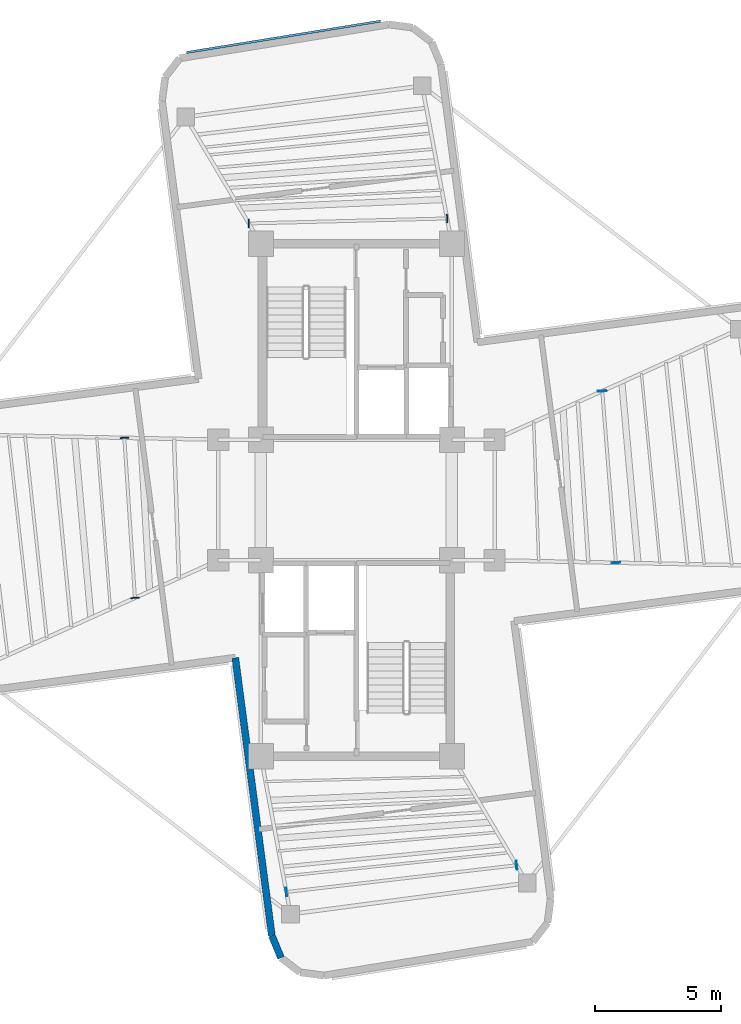
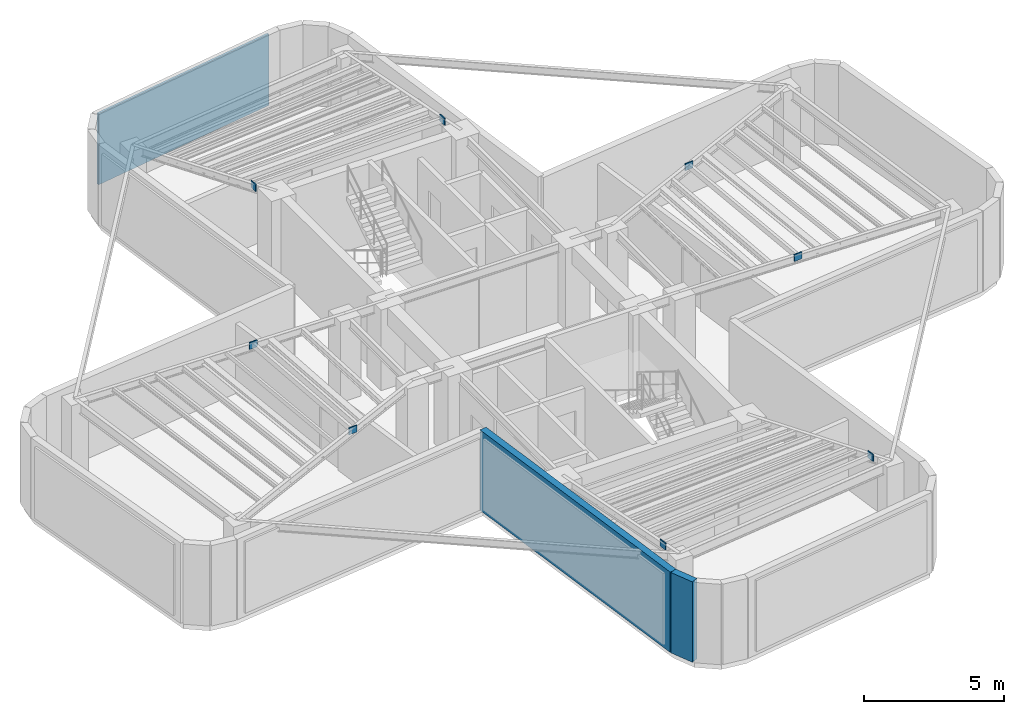
# One storey, part 3 of 6: 9 plates, 2 walls.
"""IFC4 building model written with IfcOpenShell, lengths in metres."""

from ifc_helpers import new_model, si_unit, direction, frame, frame_2d, origin, origin_2d, place, context, subcontext, project, spatial, rectangle, extrude, source, transform, mapped, material, layer, layer_set, type_object, element, save


model = new_model("IFC4")

# Units and contexts
model_context = context("Model", 3, precision=1e-05, world=origin(), true_north=direction((0.0, 1.0)))
body_context = subcontext(model_context, "Body", "Model", "MODEL_VIEW")
ifc_project = project(units=[si_unit("LENGTHUNIT", "METRE"), si_unit("AREAUNIT", "SQUARE_METRE"), si_unit("VOLUMEUNIT", "CUBIC_METRE"), si_unit("PLANEANGLEUNIT", "RADIAN"), si_unit("MASSUNIT", "GRAM", prefix="KILO")], contexts=[model_context])

# Site, building, storey
site_placement = place(None, origin())
site = spatial("IfcSite", under=ifc_project, at=site_placement, CompositionType="ELEMENT")
building_placement = place(site_placement, origin())
building = spatial("IfcBuilding", under=site, at=building_placement, Name="Sahyath Konkavel Grand Hotel", CompositionType="ELEMENT")
storey_placement = place(building_placement, frame((0.0, 0.0, 288.89990234375)))
storey = spatial("IfcBuildingStorey", under=building, at=storey_placement, Name="L80", CompositionType="ELEMENT", Elevation=288.89990234375)

# Plates
ifc_material_1 = material(Name="Steel E450", Category="steel")
plate_type_1 = type_object("IfcPlateType", Name="GUSSET-END-35", PredefinedType="USERDEFINED", material=ifc_material_1)
shared_shape_1 = source(origin(), body_context, "Body", "SweptSolid", [
    extrude(rectangle(XDim=0.0400390625, YDim=0.340087890625, at=origin_2d()), origin(), (0.0, 0.0, 1.0), 0.300048828125),
])
for number, where, z_axis, x_axis, name in (
    (1, (10.33251953125, -2.497314453125, 3.240234375), (0.0, 0.0, 1.0), (-0.079607409749, 0.996826293951, 0.0), "L80 Sub-Beam E-3 End Cap A"),
    (2, (9.787109375, 4.3349609375, 3.240234375), (0.0, 0.0, 1.0), (-0.079607409749, 0.996826293951, 0.0), "L80 Sub-Beam E-3 End Cap B"),
    (3, (-9.234375, 2.47509765625, 3.240234375), (0.0, 0.0, 1.0), (0.066030089531, -0.997817632274, 0.0), "L80 Sub-Beam W-2 End Cap A"),
    (4, (-8.812744140625, -3.895263671875, 3.240234375), (0.0, 0.0, 1.0), (0.066030089531, -0.997817632274, 0.0), "L80 Sub-Beam W-2 End Cap B"),
    (5, (3.611328125, 11.205322265625, 3.240234375), (0.0, 0.0, 1.0), (-0.999684189283, -0.025130095443, 0.0), "L80 Sub-Beam N-1 End Cap A"),
    (6, (-4.279541015625, 11.0068359375, 3.240234375), (0.0, 0.0, 1.0), (-0.999684189283, -0.025130095443, 0.0), "L80 Sub-Beam N-1 End Cap B"),
    (7, (-2.785888671875, -15.603515625, 3.240234375), (0.0, 0.0, 1.0), (0.993298335304, 0.115578618625, 0.0), "L80 Sub-Beam S-6 End Cap A"),
    (8, (6.378173828125, -14.537109375, 3.240234375), (0.0, 0.0, 1.0), (0.993298335304, 0.115578618625, 0.0), "L80 Sub-Beam S-6 End Cap B"),
):
    element("IfcPlate", number, at=place(storey_placement, frame(where, z_axis=z_axis, x_axis=x_axis)), inside=storey, type_object=plate_type_1, Name=name, ObjectType="GUSSET_PLATE", PredefinedType="USERDEFINED", context=body_context, shape_type="MappedRepresentation", body=[
        mapped(shared_shape_1, transform((0.0, 0.0, 0.0), scale=1.0)),
    ])
ifc_material_2 = material(Name="Warm Buff Sandstone Perforated Cladding", Category="masonry")
ifc_layer_1 = layer(ifc_material_2, 0.090087890625)
ifc_layer_set_1 = layer_set([ifc_layer_1], Name="Warm Buff Sandstone Perforated Cladding")
plate_type_2 = type_object("IfcPlateType", Name="PNL-CROWN-LOUVRE", PredefinedType="SHEET", material=ifc_layer_set_1)
shared_shape_2 = source(origin(), body_context, "Body", "SweptSolid", [
    extrude(rectangle(XDim=7.8291015625, YDim=0.090087890625, at=origin_2d()), origin(), (0.0, 0.0, 1.0), 3.10009765625),
])
plate_placement = place(storey_placement, frame((-2.89892578125, 18.435302734375, 0.199951171875), z_axis=(0.0, 0.0, 1.0), x_axis=(-0.987178088041, -0.159622750546, 0.0)))
element("IfcPlate", 9, at=plate_placement, inside=storey, type_object=plate_type_2, Name="L80 Crown Perforated Sandstone Louvre Screen 12", PredefinedType="SHEET", context=body_context, shape_type="MappedRepresentation", body=[
    mapped(shared_shape_2, transform((0.0, 0.0, 0.0), scale=1.0)),
])

# Walls
ifc_material_3 = material(Name="Warm Buff Sandstone Insulated Concrete C40/50", Category="masonry")
ifc_layer_2 = layer(ifc_material_3, 0.280029296875)
ifc_layer_set_2 = layer_set([ifc_layer_2], Name="Warm Buff Sandstone Insulated Concrete C40/50")
wall_type = type_object("IfcWallType", Name="WLL-CROWN-CLAD", PredefinedType="SOLIDWALL", material=ifc_layer_set_2)
wall_1_placement = place(storey_placement, frame((-4.821044921875, -6.282958984375, 0.0), z_axis=(0.0, 0.0, 1.0), x_axis=(0.130521347626, -0.991445499165, 0.0)))
element("IfcWall", 10, at=wall_1_placement, inside=storey, type_object=wall_type, Name="L80 Crown Sandstone & Acoustic Louvre Wall 24", PredefinedType="SOLIDWALL", context=body_context, shape_type="SweptSolid", body=[
    extrude(rectangle(XDim=11.150146484375, YDim=0.280029296875, at=frame_2d((5.5751953125, 0.0))), origin(), (0.0, 0.0, 1.0), 3.5),
])
wall_2_placement = place(storey_placement, frame((-3.36572265625, -17.337646484375, 0.0), z_axis=(0.0, 0.0, 1.0), x_axis=(0.382659506909, -0.923889442397, 0.0)))
element("IfcWall", 11, at=wall_2_placement, inside=storey, type_object=wall_type, Name="L80 Crown Sandstone & Acoustic Louvre Wall 25", PredefinedType="SOLIDWALL", context=body_context, shape_type="SweptSolid", body=[
    extrude(rectangle(XDim=0.957763671875, YDim=0.280029296875, at=frame_2d((0.47900390625, 0.0))), origin(), (0.0, 0.0, 1.0), 3.5),
])

save(model, "model.ifc")
